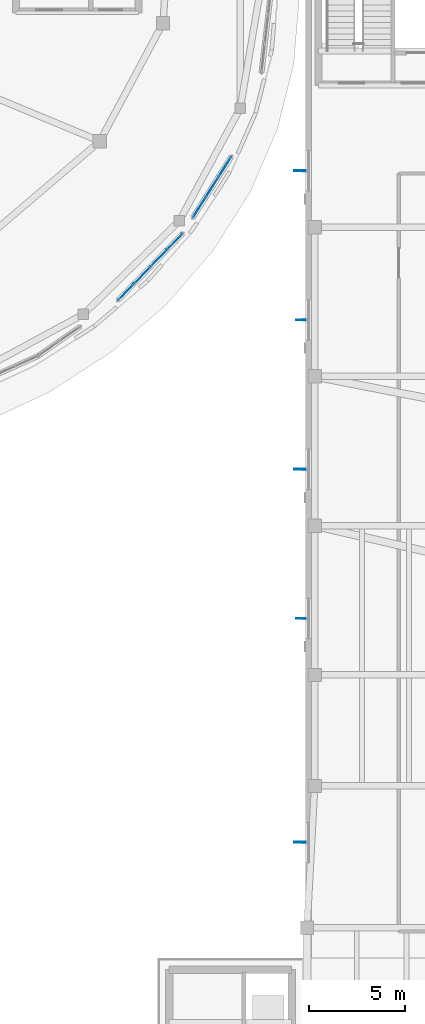
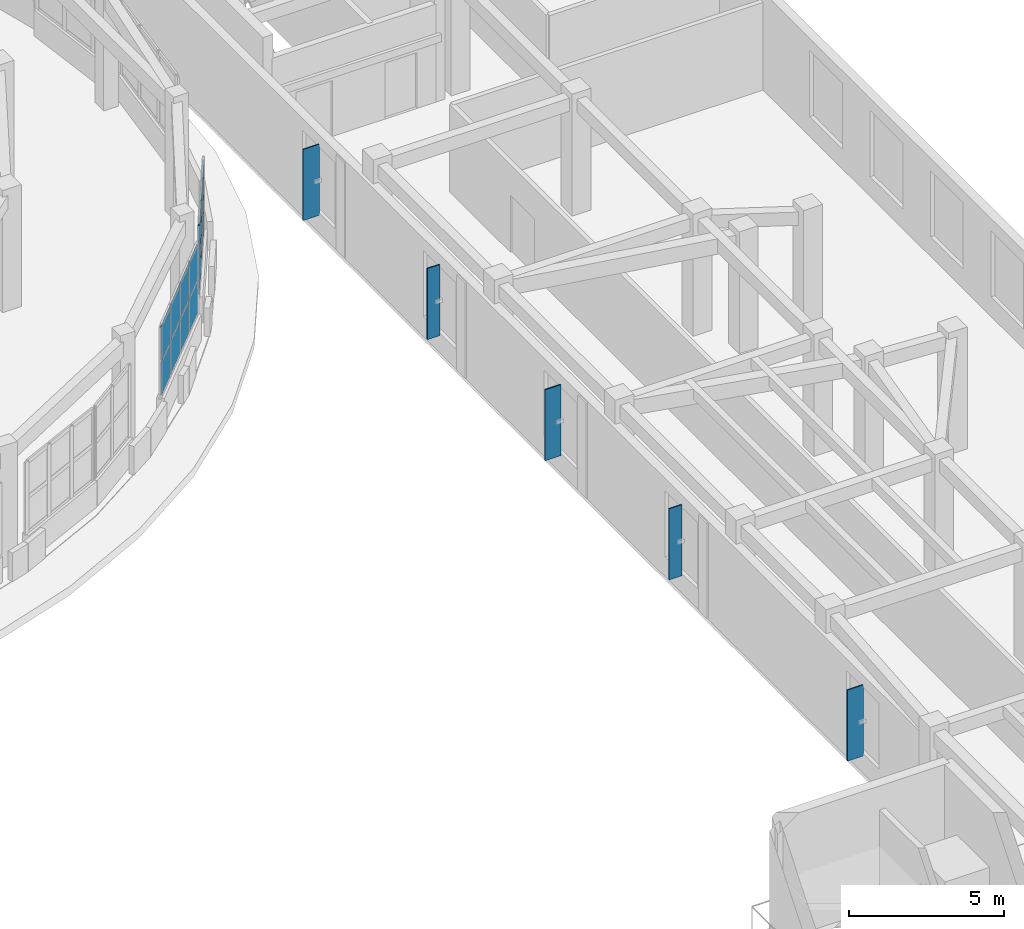
# One storey, part 66 of 98: 19 plates, 2 elements without a shape of their own.
"""IFC4 building model written with IfcOpenShell, lengths in metres."""

from ifc_helpers import new_model, si_unit, direction, frame, origin, origin_2d, place, context, subcontext, project, spatial, rectangle, extrude, material, layer, layer_set, type_object, element, aggregate, save


model = new_model("IFC4")

# Units and contexts
model_context = context("Model", 3, precision=1e-05, world=origin(), true_north=direction((0.0, 1.0)))
body_context = subcontext(model_context, "Body", "Model", "MODEL_VIEW")
ifc_project = project(units=[si_unit("LENGTHUNIT", "METRE"), si_unit("AREAUNIT", "SQUARE_METRE"), si_unit("VOLUMEUNIT", "CUBIC_METRE"), si_unit("PLANEANGLEUNIT", "RADIAN"), si_unit("MASSUNIT", "GRAM", prefix="KILO")], contexts=[model_context])

# Site, building, storey
site_placement = place(None, origin())
site = spatial("IfcSite", under=ifc_project, at=site_placement, CompositionType="ELEMENT")
building_placement = place(site_placement, origin())
building = spatial("IfcBuilding", under=site, at=building_placement, Name="Pelvatis Terrace Science Centre", CompositionType="ELEMENT")
storey_placement = place(building_placement, frame((0.0, 0.0, 5.39990234375)))
storey = spatial("IfcBuildingStorey", under=building, at=storey_placement, Name="L01", CompositionType="ELEMENT", Elevation=5.39990234375)

# Curtain wall, plates
ifc_material_1 = material(Name="Bronze-anodised aluminium and laminated glass", Category="aluminium")
ifc_layer_1 = layer(ifc_material_1, 0.199951171875)
ifc_layer_set_1 = layer_set([ifc_layer_1], Name="Bronze-anodised aluminium and laminated glass")
curtain_wall_type = type_object("IfcCurtainWallType", Name="CW-RIBBON-B", PredefinedType="NOTDEFINED", material=ifc_layer_set_1)
curtain_wall_1_placement = place(storey_placement, origin())
curtain_wall_1 = element("IfcCurtainWall", 1, at=curtain_wall_1_placement, inside=storey, type_object=curtain_wall_type, Name="Ribbon curtain wall CW-151 (L01)", PredefinedType="NOTDEFINED")
ifc_material_2 = material(Name="Low-e laminated solar-control double glazing", Category="glass")
ifc_layer_2 = layer(ifc_material_2, 0.031982421875)
ifc_layer_set_2 = layer_set([ifc_layer_2], Name="Low-e laminated solar-control double glazing")
plate_type_1 = type_object("IfcPlateType", Name="CWP-IGU-32", PredefinedType="CURTAIN_PANEL", material=ifc_layer_set_2)
plate_1_placement = place(storey_placement, frame((130.9482421875, 66.811767578125, 1.0849609375), z_axis=(0.0, 0.0, 1.0), x_axis=(0.69585830686, 0.718179097979, 0.0)))
plate_1 = element("IfcPlate", 2, at=plate_1_placement, type_object=plate_type_1, Name="CW-151 panel 1.1", PredefinedType="CURTAIN_PANEL", context=body_context, shape_type="SweptSolid", body=[
    extrude(rectangle(XDim=1.12890625, YDim=0.031982421875, at=origin_2d()), origin(), (0.0, 0.0, 1.0), 1.322509765625),
])
plate_2_placement = place(storey_placement, frame((130.9482421875, 66.811767578125, 2.47265625), z_axis=(0.0, 0.0, 1.0), x_axis=(0.69585830686, 0.718179097979, 0.0)))
plate_2 = element("IfcPlate", 3, at=plate_2_placement, type_object=plate_type_1, Name="CW-151 panel 1.2", PredefinedType="CURTAIN_PANEL", context=body_context, shape_type="SweptSolid", body=[
    extrude(rectangle(XDim=1.12890625, YDim=0.031982421875, at=origin_2d()), origin(), (0.0, 0.0, 1.0), 1.322509765625),
])
plate_3_placement = place(storey_placement, frame((131.790283203125, 67.680908203125, 1.0849609375), z_axis=(0.0, 0.0, 1.0), x_axis=(0.69585830686, 0.718179097979, 0.0)))
plate_3 = element("IfcPlate", 4, at=plate_3_placement, type_object=plate_type_1, Name="CW-151 panel 2.1", PredefinedType="CURTAIN_PANEL", context=body_context, shape_type="SweptSolid", body=[
    extrude(rectangle(XDim=1.161376953125, YDim=0.031982421875, at=origin_2d()), origin(), (0.0, 0.0, 1.0), 1.322509765625),
])
plate_4_placement = place(storey_placement, frame((131.790283203125, 67.680908203125, 2.47265625), z_axis=(0.0, 0.0, 1.0), x_axis=(0.69585830686, 0.718179097979, 0.0)))
plate_4 = element("IfcPlate", 5, at=plate_4_placement, type_object=plate_type_1, Name="CW-151 panel 2.2", PredefinedType="CURTAIN_PANEL", context=body_context, shape_type="SweptSolid", body=[
    extrude(rectangle(XDim=1.161376953125, YDim=0.031982421875, at=origin_2d()), origin(), (0.0, 0.0, 1.0), 1.322509765625),
])
plate_5_placement = place(storey_placement, frame((132.6435546875, 68.561767578125, 1.0849609375), z_axis=(0.0, 0.0, 1.0), x_axis=(0.69585830686, 0.718179097979, 0.0)))
plate_5 = element("IfcPlate", 6, at=plate_5_placement, type_object=plate_type_1, Name="CW-151 panel 3.1", PredefinedType="CURTAIN_PANEL", context=body_context, shape_type="SweptSolid", body=[
    extrude(rectangle(XDim=1.161376953125, YDim=0.031982421875, at=origin_2d()), origin(), (0.0, 0.0, 1.0), 1.322509765625),
])
plate_6_placement = place(storey_placement, frame((132.6435546875, 68.561767578125, 2.47265625), z_axis=(0.0, 0.0, 1.0), x_axis=(0.69585830686, 0.718179097979, 0.0)))
plate_6 = element("IfcPlate", 7, at=plate_6_placement, type_object=plate_type_1, Name="CW-151 panel 3.2", PredefinedType="CURTAIN_PANEL", context=body_context, shape_type="SweptSolid", body=[
    extrude(rectangle(XDim=1.161376953125, YDim=0.031982421875, at=origin_2d()), origin(), (0.0, 0.0, 1.0), 1.322509765625),
])
plate_7_placement = place(storey_placement, frame((133.48583984375, 69.430908203125, 1.0849609375), z_axis=(0.0, 0.0, 1.0), x_axis=(0.69585830686, 0.718179097979, 0.0)))
plate_7 = element("IfcPlate", 8, at=plate_7_placement, type_object=plate_type_1, Name="CW-151 panel 4.1", PredefinedType="CURTAIN_PANEL", context=body_context, shape_type="SweptSolid", body=[
    extrude(rectangle(XDim=1.12890625, YDim=0.031982421875, at=origin_2d()), origin(), (0.0, 0.0, 1.0), 1.322509765625),
])
plate_8_placement = place(storey_placement, frame((133.48583984375, 69.430908203125, 2.47265625), z_axis=(0.0, 0.0, 1.0), x_axis=(0.69585830686, 0.718179097979, 0.0)))
plate_8 = element("IfcPlate", 9, at=plate_8_placement, type_object=plate_type_1, Name="CW-151 panel 4.2", PredefinedType="CURTAIN_PANEL", context=body_context, shape_type="SweptSolid", body=[
    extrude(rectangle(XDim=1.12890625, YDim=0.031982421875, at=origin_2d()), origin(), (0.0, 0.0, 1.0), 1.322509765625),
])
aggregate(curtain_wall_1, [plate_1, plate_2, plate_3, plate_4, plate_5, plate_6, plate_7, plate_8])

curtain_wall_2_placement = place(storey_placement, origin())
curtain_wall_2 = element("IfcCurtainWall", 10, at=curtain_wall_2_placement, inside=storey, type_object=curtain_wall_type, Name="Ribbon curtain wall CW-152 (L01)", PredefinedType="NOTDEFINED")
plate_9_placement = place(storey_placement, frame((134.77392578125, 71.230224609375, 1.0849609375), z_axis=(0.0, 0.0, 1.0), x_axis=(0.53370572245, 0.84567026779, 0.0)))
plate_9 = element("IfcPlate", 11, at=plate_9_placement, type_object=plate_type_1, Name="CW-152 panel 1.1", PredefinedType="CURTAIN_PANEL", context=body_context, shape_type="SweptSolid", body=[
    extrude(rectangle(XDim=1.173095703125, YDim=0.031982421875, at=origin_2d()), origin(), (0.0, 0.0, 1.0), 1.322509765625),
])
plate_10_placement = place(storey_placement, frame((134.77392578125, 71.230224609375, 2.47265625), z_axis=(0.0, 0.0, 1.0), x_axis=(0.53370572245, 0.84567026779, 0.0)))
plate_10 = element("IfcPlate", 12, at=plate_10_placement, type_object=plate_type_1, Name="CW-152 panel 1.2", PredefinedType="CURTAIN_PANEL", context=body_context, shape_type="SweptSolid", body=[
    extrude(rectangle(XDim=1.173095703125, YDim=0.031982421875, at=origin_2d()), origin(), (0.0, 0.0, 1.0), 1.322509765625),
])
plate_11_placement = place(storey_placement, frame((135.443359375, 72.291015625, 1.0849609375), z_axis=(0.0, 0.0, 1.0), x_axis=(0.53370572245, 0.84567026779, 0.0)))
plate_11 = element("IfcPlate", 13, at=plate_11_placement, type_object=plate_type_1, Name="CW-152 panel 2.1", PredefinedType="CURTAIN_PANEL", context=body_context, shape_type="SweptSolid", body=[
    extrude(rectangle(XDim=1.20556640625, YDim=0.031982421875, at=origin_2d()), origin(), (0.0, 0.0, 1.0), 1.322509765625),
])
plate_12_placement = place(storey_placement, frame((135.443359375, 72.291015625, 2.47265625), z_axis=(0.0, 0.0, 1.0), x_axis=(0.53370572245, 0.84567026779, 0.0)))
plate_12 = element("IfcPlate", 14, at=plate_12_placement, type_object=plate_type_1, Name="CW-152 panel 2.2", PredefinedType="CURTAIN_PANEL", context=body_context, shape_type="SweptSolid", body=[
    extrude(rectangle(XDim=1.20556640625, YDim=0.031982421875, at=origin_2d()), origin(), (0.0, 0.0, 1.0), 1.322509765625),
])
plate_13_placement = place(storey_placement, frame((136.11279296875, 73.3515625, 1.0849609375), z_axis=(0.0, 0.0, 1.0), x_axis=(0.53370572245, 0.84567026779, 0.0)))
plate_13 = element("IfcPlate", 15, at=plate_13_placement, type_object=plate_type_1, Name="CW-152 panel 3.1", PredefinedType="CURTAIN_PANEL", context=body_context, shape_type="SweptSolid", body=[
    extrude(rectangle(XDim=1.173095703125, YDim=0.031982421875, at=origin_2d()), origin(), (0.0, 0.0, 1.0), 1.322509765625),
])
plate_14_placement = place(storey_placement, frame((136.11279296875, 73.3515625, 2.47265625), z_axis=(0.0, 0.0, 1.0), x_axis=(0.53370572245, 0.84567026779, 0.0)))
plate_14 = element("IfcPlate", 16, at=plate_14_placement, type_object=plate_type_1, Name="CW-152 panel 3.2", PredefinedType="CURTAIN_PANEL", context=body_context, shape_type="SweptSolid", body=[
    extrude(rectangle(XDim=1.173095703125, YDim=0.031982421875, at=origin_2d()), origin(), (0.0, 0.0, 1.0), 1.322509765625),
])
aggregate(curtain_wall_2, [plate_9, plate_10, plate_11, plate_12, plate_13, plate_14])

# Plates
ifc_material_3 = material(Name="Perforated architectural bronze brise-soleil fin", Category="aluminium")
ifc_layer_3 = layer(ifc_material_3, 3.10009765625)
ifc_layer_set_3 = layer_set([ifc_layer_3], Name="Perforated architectural bronze brise-soleil fin")
plate_type_2 = type_object("IfcPlateType", Name="PLT-FIN-W480", PredefinedType="SHEET", material=ifc_layer_set_3)
for number, where, z_axis, x_axis, name in (
    (17, (140.08740234375, 49.75, 0.68017578125), (0.0, 0.0, 1.0), (1.0, 0.0, 0.0), "West bronze brise-soleil fin 047"),
    (18, (140.08740234375, 65.35009765625, 0.68017578125), (0.0, 0.0, 1.0), (1.0, 0.0, 0.0), "West bronze brise-soleil fin 049"),
):
    element("IfcPlate", number, at=place(storey_placement, frame(where, z_axis=z_axis, x_axis=x_axis)), inside=storey, type_object=plate_type_2, Name=name, PredefinedType="SHEET", context=body_context, shape_type="SweptSolid", body=[
        extrude(rectangle(XDim=0.47998046875, YDim=0.044921875, at=origin_2d()), origin(), (0.0, 0.0, 1.0), 2.800048828125),
    ])
ifc_material_4 = material(Name="Perforated architectural bronze brise-soleil fin", Category="aluminium")
ifc_layer_4 = layer(ifc_material_4, 3.39990234375)
ifc_layer_set_4 = layer_set([ifc_layer_4], Name="Perforated architectural bronze brise-soleil fin")
plate_type_3 = type_object("IfcPlateType", Name="PLT-FIN-W600", PredefinedType="SHEET", material=ifc_layer_set_4)
for number, where, z_axis, x_axis, name in (
    (19, (140.027587890625, 38.050048828125, 0.68017578125), (0.0, 0.0, 1.0), (1.0, 0.0, 0.0), "West bronze brise-soleil fin 046"),
    (20, (140.027587890625, 57.550048828125, 0.68017578125), (0.0, 0.0, 1.0), (1.0, 0.0, 0.0), "West bronze brise-soleil fin 048"),
    (21, (140.027587890625, 73.14990234375, 0.68017578125), (0.0, 0.0, 1.0), (1.0, 0.0, 0.0), "West bronze brise-soleil fin 050"),
):
    element("IfcPlate", number, at=place(storey_placement, frame(where, z_axis=z_axis, x_axis=x_axis)), inside=storey, type_object=plate_type_3, Name=name, PredefinedType="SHEET", context=body_context, shape_type="SweptSolid", body=[
        extrude(rectangle(XDim=0.60009765625, YDim=0.044921875, at=origin_2d()), origin(), (0.0, 0.0, 1.0), 2.800048828125),
    ])

save(model, "model.ifc")
